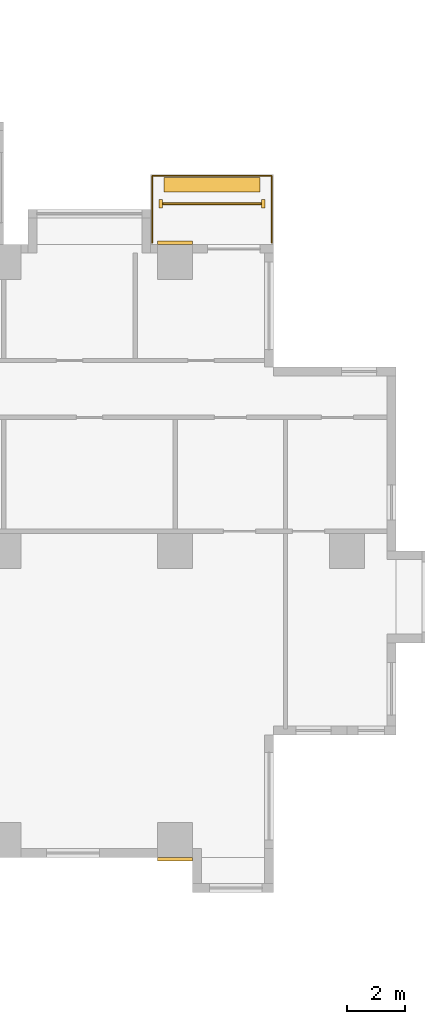
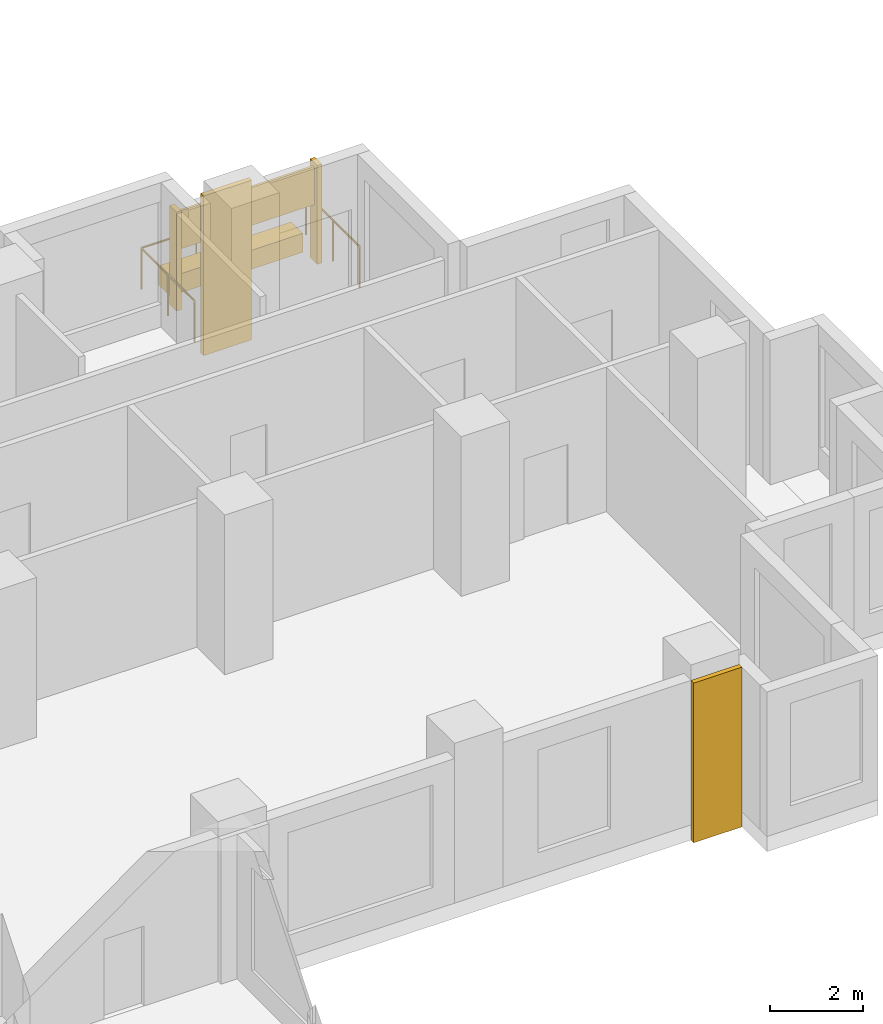
# One storey, part 17 of 17: 6 coverings, 1 railing.
"""IFC4 building model written with IfcOpenShell, lengths in metres."""

from ifc_helpers import new_model, si_unit, direction, frame, origin, origin_2d, place, context, subcontext, project, spatial, rectangle, circle, extrude, source, transform, mapped, material, type_object, element, save


model = new_model("IFC4")

# Units and contexts
model_context = context("Model", 3, precision=1e-05, world=origin(), true_north=direction((0.0, 1.0)))
body_context = subcontext(model_context, "Body", "Model", "MODEL_VIEW")
ifc_project = project(units=[si_unit("LENGTHUNIT", "METRE"), si_unit("AREAUNIT", "SQUARE_METRE"), si_unit("VOLUMEUNIT", "CUBIC_METRE"), si_unit("PLANEANGLEUNIT", "RADIAN"), si_unit("MASSUNIT", "GRAM", prefix="KILO")], contexts=[model_context])

# Site, building, storey
site_placement = place(None, origin())
site = spatial("IfcSite", under=ifc_project, at=site_placement, CompositionType="ELEMENT")
building_placement = place(site_placement, origin())
building = spatial("IfcBuilding", under=site, at=building_placement, Name="Aurelian Terraces", CompositionType="ELEMENT")
storey_placement = place(building_placement, frame((0.0, 0.0, 48.9)))
storey = spatial("IfcBuildingStorey", under=building, at=storey_placement, Name="L09", CompositionType="ELEMENT", Elevation=48.9)

# Railing
ifc_material_1 = material(Name="Anodised aluminium", Category="aluminium")
railing_type = type_object("IfcRailingType", Name="GUARD-1100", PredefinedType="GUARDRAIL", material=ifc_material_1)
railing_placement = place(storey_placement, frame((67.15, 21.05, 0.0)))
element("IfcRailing", 1, at=railing_placement, inside=storey, type_object=railing_type, Name="Balcony guard L09 F11.22", PredefinedType="GUARDRAIL", context=body_context, shape_type="SweptSolid", body=[
    extrude(circle(Radius=0.024, at=origin_2d()), frame((0.0, 0.0, 1.076), z_axis=(0.0, 1.0, 0.0), x_axis=(-1.0, 0.0, 0.0)), (0.0, 0.0, 1.0), 2.3),
    extrude(circle(Radius=0.024, at=origin_2d()), frame((0.0, 2.3, 1.076), z_axis=(-1.0, 0.0, 0.0), x_axis=(0.0, -1.0, 0.0)), (0.0, 0.0, 1.0), 4.1),
    extrude(circle(Radius=0.024, at=origin_2d()), frame((-4.1, 2.3, 1.076), z_axis=(0.0, -1.0, 0.0), x_axis=(1.0, 0.0, 0.0)), (0.0, 0.0, 1.0), 2.3),
    extrude(circle(Radius=0.021, at=origin_2d()), origin(), (0.0, 0.0, 1.0), 1.052),
    extrude(circle(Radius=0.021, at=origin_2d()), frame((0.0, 1.15, 0.0)), (0.0, 0.0, 1.0), 1.052),
    extrude(circle(Radius=0.021, at=origin_2d()), frame((0.0, 2.3, 0.0)), (0.0, 0.0, 1.0), 1.052),
    extrude(circle(Radius=0.021, at=origin_2d()), frame((-1.3667, 2.3, 0.0)), (0.0, 0.0, 1.0), 1.052),
    extrude(circle(Radius=0.021, at=origin_2d()), frame((-2.7333, 2.3, 0.0)), (0.0, 0.0, 1.0), 1.052),
    extrude(circle(Radius=0.021, at=origin_2d()), frame((-4.1, 2.3, 0.0)), (0.0, 0.0, 1.0), 1.052),
    extrude(circle(Radius=0.021, at=origin_2d()), frame((-4.1, 1.15, 0.0)), (0.0, 0.0, 1.0), 1.052),
    extrude(circle(Radius=0.021, at=origin_2d()), frame((-4.1, 0.0, 0.0)), (0.0, 0.0, 1.0), 1.052),
])

# Coverings
ifc_material_2 = material(Name="Terracotta planter with planting soil", Category="masonry")
covering_type_1 = type_object("IfcCoveringType", Name="PLANTER-TROUGH", PredefinedType="USERDEFINED", material=ifc_material_2)
covering_1_placement = place(storey_placement, frame((65.1, 23.05, 0.0), z_axis=(0.0, 0.0, 1.0), x_axis=(1.0, 0.0, 0.0)))
element("IfcCovering", 2, at=covering_1_placement, inside=storey, type_object=covering_type_1, Name="PLANTER L09 L09-F11-22", ObjectType="PLANTER", PredefinedType="USERDEFINED", context=body_context, shape_type="SweptSolid", body=[
    extrude(rectangle(XDim=3.3, YDim=0.5, at=origin_2d()), origin(), (0.0, 0.0, 1.0), 0.5),
])
ifc_material_3 = material(Name="Terracotta rainscreen cladding", Category="masonry")
covering_type_2 = type_object("IfcCoveringType", Name="SCREEN-TC", PredefinedType="CLADDING", material=ifc_material_3)
covering_2_placement = place(storey_placement, frame((65.1, 22.4, 1.5), z_axis=(0.0, 0.0, 1.0), x_axis=(1.0, 0.0, 0.0)))
element("IfcCovering", 3, at=covering_2_placement, inside=storey, type_object=covering_type_2, Name="SCREEN L09 L09-F11-22", PredefinedType="CLADDING", context=body_context, shape_type="SweptSolid", body=[
    extrude(rectangle(XDim=3.38, YDim=0.06, at=origin_2d()), origin(), (0.0, 0.0, 1.0), 1.0),
])
ifc_material_4 = material(Name="Terracotta rainscreen cladding relief", Category="masonry")
covering_type_3 = type_object("IfcCoveringType", Name="BAGUETTE-TC", PredefinedType="CLADDING", material=ifc_material_4)
shared_shape_1 = source(origin(), body_context, "Body", "SweptSolid", [
    extrude(rectangle(XDim=1.2, YDim=0.12, at=origin_2d()), origin(), (0.0, 0.0, 1.0), 4.2),
])
for number, where, z_axis, x_axis, name in (
    (4, (63.84, -0.06, -0.4), (0.0, 0.0, 1.0), (1.0, 0.0, 0.0), "BAGUETTE pier L09 4"),
    (5, (63.84, 21.06, -0.4), (0.0, 0.0, 1.0), (1.0, 0.0, 0.0), "BAGUETTE pier L09 7"),
):
    element("IfcCovering", number, at=place(storey_placement, frame(where, z_axis=z_axis, x_axis=x_axis)), inside=storey, type_object=covering_type_3, Name=name, PredefinedType="CLADDING", context=body_context, shape_type="MappedRepresentation", body=[
        mapped(shared_shape_1, transform((0.0, 0.0, 0.0), scale=1.0)),
    ])
covering_type_4 = type_object("IfcCoveringType", Name="FIN-TC", PredefinedType="CLADDING", material=ifc_material_4)
shared_shape_2 = source(origin(), body_context, "Body", "SweptSolid", [
    extrude(rectangle(XDim=0.12, YDim=0.3, at=origin_2d()), origin(), (0.0, 0.0, 1.0), 2.6),
])
for number, where, z_axis, x_axis, name in (
    (6, (66.85, 22.4, 0.0), (0.0, 0.0, 1.0), (1.0, 0.0, 0.0), "FIN L09 L09-F11-22.1"),
    (7, (63.35, 22.4, 0.0), (0.0, 0.0, 1.0), (1.0, 0.0, 0.0), "FIN L09 L09-F11-22.2"),
):
    element("IfcCovering", number, at=place(storey_placement, frame(where, z_axis=z_axis, x_axis=x_axis)), inside=storey, type_object=covering_type_4, Name=name, PredefinedType="CLADDING", context=body_context, shape_type="MappedRepresentation", body=[
        mapped(shared_shape_2, transform((0.0, 0.0, 0.0), scale=1.0)),
    ])

save(model, "model.ifc")
